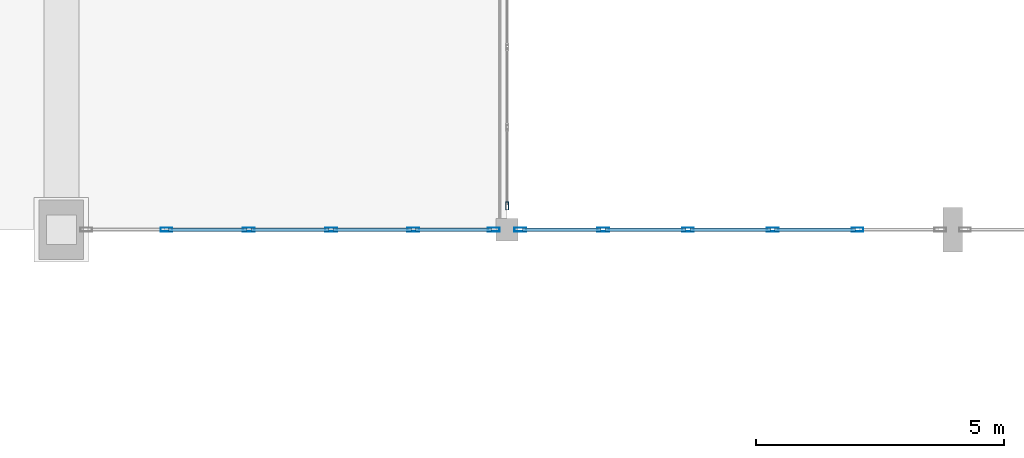
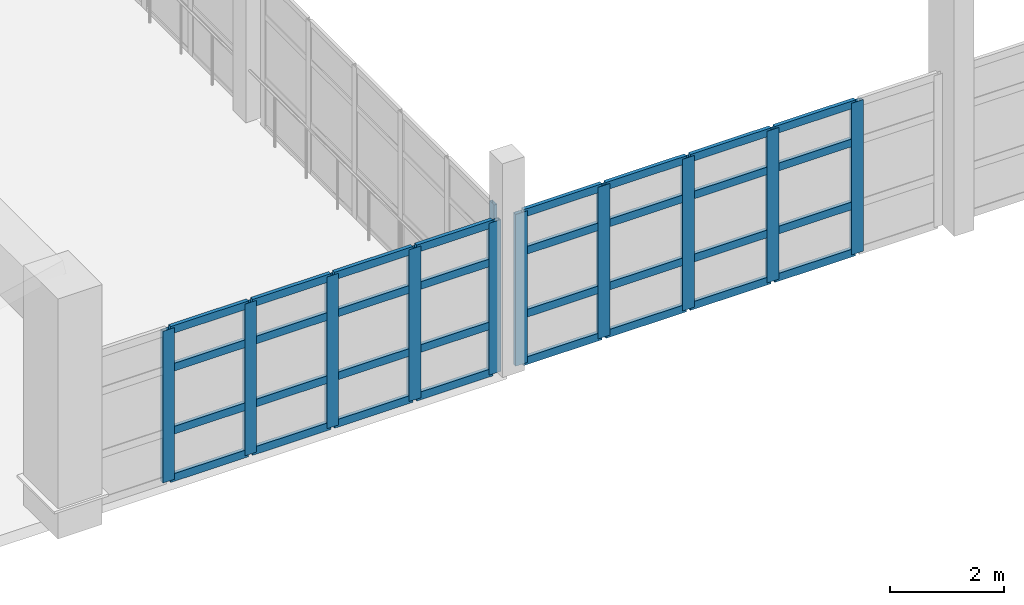
# One storey, part 8 of 80: 43 members, 3 elements without a shape of their own.
"""IFC4 building model written with IfcOpenShell, lengths in metres."""

from ifc_helpers import new_model, si_unit, direction, frame, origin, origin_2d, place, context, subcontext, project, spatial, hollow_rectangle, extrude, material, layer, layer_set, material_profile, profile_set, type_object, element, aggregate, save


model = new_model("IFC4")

# Units and contexts
model_context = context("Model", 3, precision=1e-05, world=origin(), true_north=direction((0.0, 1.0)))
body_context = subcontext(model_context, "Body", "Model", "MODEL_VIEW")
ifc_project = project(units=[si_unit("LENGTHUNIT", "METRE"), si_unit("AREAUNIT", "SQUARE_METRE"), si_unit("VOLUMEUNIT", "CUBIC_METRE"), si_unit("PLANEANGLEUNIT", "RADIAN"), si_unit("MASSUNIT", "GRAM", prefix="KILO")], contexts=[model_context])

# Site, building, storey
site_placement = place(None, origin())
site = spatial("IfcSite", under=ifc_project, at=site_placement, CompositionType="ELEMENT")
building_placement = place(site_placement, origin())
building = spatial("IfcBuilding", under=site, at=building_placement, Name="Ornek Quay Market", CompositionType="ELEMENT")
storey_placement = place(building_placement, frame((0.0, 0.0, 8.39990234375)))
storey = spatial("IfcBuildingStorey", under=building, at=storey_placement, Name="L02", CompositionType="ELEMENT", Elevation=8.39990234375)

# Curtain wall, member
ifc_material_1 = material(Name="Anodised bronze aluminium and triple low-e glass", Category="aluminium")
ifc_layer_1 = layer(ifc_material_1, 0.139892578125, Name="Anodised bronze aluminium and triple low-e glass", Category="aluminium")
ifc_layer_set_1 = layer_set([ifc_layer_1], Name="Anodised bronze aluminium and triple low-e glass")
curtain_wall_type_1 = type_object("IfcCurtainWallType", Name="CW-GALLERY-INT", PredefinedType="USERDEFINED", material=ifc_layer_set_1)
curtain_wall_1_placement = place(storey_placement, origin())
curtain_wall_1 = element("IfcCurtainWall", 1, at=curtain_wall_1_placement, inside=storey, type_object=curtain_wall_type_1, Name="Curtain wall CW-109", ObjectType="CURTAIN WALL", PredefinedType="USERDEFINED")
ifc_material_2 = material(Name="Anodised aluminium 6063-T6", Category="aluminium")
ifc_material_profile_1 = material_profile(ifc_material_2, hollow_rectangle(XDim=0.06005859375, YDim=0.159912109375, WallThickness=0.00390625, at=origin_2d()), Name="CW-MUL-60x160", Category="aluminium")
ifc_profile_set_1 = profile_set([ifc_material_profile_1], Name="Anodised aluminium 6063-T6")
member_type_1 = type_object("IfcMemberType", Name="CW-MUL-60x160", PredefinedType="MULLION", material=ifc_profile_set_1)
member_1_placement = place(storey_placement, frame((72.0, 29.47998046875, 0.0), z_axis=(0.0, 0.0, 1.0), x_axis=(-1.0, 0.0, 0.0)))
member_1 = element("IfcMember", 2, at=member_1_placement, type_object=member_type_1, Name="CW-109 mullion 1", PredefinedType="MULLION", context=body_context, shape_type="SweptSolid", body=[
    extrude(hollow_rectangle(XDim=0.06005859375, YDim=0.159912109375, WallThickness=0.00390625, at=origin_2d()), origin(), (0.0, 0.0, 1.0), 3.25),
])
aggregate(curtain_wall_1, [member_1])

# Curtain wall, members
ifc_layer_2 = layer(ifc_material_1, 0.239990234375, Name="Anodised bronze aluminium and triple low-e glass", Category="aluminium")
ifc_layer_set_2 = layer_set([ifc_layer_2], Name="Anodised bronze aluminium and triple low-e glass")
curtain_wall_type_2 = type_object("IfcCurtainWallType", Name="CW-GAB-MOD1800", PredefinedType="USERDEFINED", material=ifc_layer_set_2)
curtain_wall_2_placement = place(storey_placement, origin())
curtain_wall_2 = element("IfcCurtainWall", 3, at=curtain_wall_2_placement, inside=storey, type_object=curtain_wall_type_2, Name="Curtain wall CW-063", ObjectType="CURTAIN WALL", PredefinedType="USERDEFINED")
ifc_material_profile_2 = material_profile(ifc_material_2, hollow_rectangle(XDim=0.080078125, YDim=0.239990234375, WallThickness=0.006103515625, at=origin_2d()), Name="CW-MUL-80x240", Category="aluminium")
ifc_profile_set_2 = profile_set([ifc_material_profile_2], Name="Anodised aluminium 6063-T6")
member_type_2 = type_object("IfcMemberType", Name="CW-MUL-80x240", PredefinedType="MULLION", material=ifc_profile_set_2)
member_2_placement = place(storey_placement, frame((65.1220703125, 29.0, 0.0), z_axis=(0.0, 0.0, 1.0), x_axis=(0.0, 1.0, 0.0)))
member_2 = element("IfcMember", 4, at=member_2_placement, type_object=member_type_2, Name="CW-063 mullion 2", PredefinedType="MULLION", context=body_context, shape_type="SweptSolid", body=[
    extrude(hollow_rectangle(XDim=0.080078125, YDim=0.239990234375, WallThickness=0.006103515625, at=origin_2d()), origin(), (0.0, 0.0, 1.0), 3.25),
])
member_3_placement = place(storey_placement, frame((66.783935546875, 29.0, 0.0), z_axis=(0.0, 0.0, 1.0), x_axis=(0.0, 1.0, 0.0)))
member_3 = element("IfcMember", 5, at=member_3_placement, type_object=member_type_2, Name="CW-063 mullion 3", PredefinedType="MULLION", context=body_context, shape_type="SweptSolid", body=[
    extrude(hollow_rectangle(XDim=0.080078125, YDim=0.239990234375, WallThickness=0.006103515625, at=origin_2d()), origin(), (0.0, 0.0, 1.0), 3.25),
])
member_4_placement = place(storey_placement, frame((68.446044921875, 29.0, 0.0), z_axis=(0.0, 0.0, 1.0), x_axis=(0.0, 1.0, 0.0)))
member_4 = element("IfcMember", 6, at=member_4_placement, type_object=member_type_2, Name="CW-063 mullion 4", PredefinedType="MULLION", context=body_context, shape_type="SweptSolid", body=[
    extrude(hollow_rectangle(XDim=0.080078125, YDim=0.239990234375, WallThickness=0.006103515625, at=origin_2d()), origin(), (0.0, 0.0, 1.0), 3.25),
])
member_5_placement = place(storey_placement, frame((70.10791015625, 29.0, 0.0), z_axis=(0.0, 0.0, 1.0), x_axis=(0.0, 1.0, 0.0)))
member_5 = element("IfcMember", 7, at=member_5_placement, type_object=member_type_2, Name="CW-063 mullion 5", PredefinedType="MULLION", context=body_context, shape_type="SweptSolid", body=[
    extrude(hollow_rectangle(XDim=0.080078125, YDim=0.239990234375, WallThickness=0.006103515625, at=origin_2d()), origin(), (0.0, 0.0, 1.0), 3.25),
])
member_6_placement = place(storey_placement, frame((71.72998046875, 29.0, 0.0), z_axis=(0.0, 0.0, 1.0), x_axis=(0.0, 1.0, 0.0)))
member_6 = element("IfcMember", 8, at=member_6_placement, type_object=member_type_2, Name="CW-063 mullion 6", PredefinedType="MULLION", context=body_context, shape_type="SweptSolid", body=[
    extrude(hollow_rectangle(XDim=0.080078125, YDim=0.239990234375, WallThickness=0.006103515625, at=origin_2d()), origin(), (0.0, 0.0, 1.0), 3.25),
])

curtain_wall_3_placement = place(storey_placement, origin())
curtain_wall_3 = element("IfcCurtainWall", 9, at=curtain_wall_3_placement, inside=storey, type_object=curtain_wall_type_2, Name="Curtain wall CW-066", ObjectType="CURTAIN WALL", PredefinedType="USERDEFINED")
member_7_placement = place(storey_placement, frame((72.27001953125, 29.0, 0.0), z_axis=(0.0, 0.0, 1.0), x_axis=(0.0, 1.0, 0.0)))
member_7 = element("IfcMember", 10, at=member_7_placement, type_object=member_type_2, Name="CW-066 mullion 1", PredefinedType="MULLION", context=body_context, shape_type="SweptSolid", body=[
    extrude(hollow_rectangle(XDim=0.080078125, YDim=0.239990234375, WallThickness=0.006103515625, at=origin_2d()), origin(), (0.0, 0.0, 1.0), 3.25),
])
member_8_placement = place(storey_placement, frame((73.94189453125, 29.0, 0.0), z_axis=(0.0, 0.0, 1.0), x_axis=(0.0, 1.0, 0.0)))
member_8 = element("IfcMember", 11, at=member_8_placement, type_object=member_type_2, Name="CW-066 mullion 2", PredefinedType="MULLION", context=body_context, shape_type="SweptSolid", body=[
    extrude(hollow_rectangle(XDim=0.080078125, YDim=0.239990234375, WallThickness=0.006103515625, at=origin_2d()), origin(), (0.0, 0.0, 1.0), 3.25),
])
member_9_placement = place(storey_placement, frame((75.654052734375, 29.0, 0.0), z_axis=(0.0, 0.0, 1.0), x_axis=(0.0, 1.0, 0.0)))
member_9 = element("IfcMember", 12, at=member_9_placement, type_object=member_type_2, Name="CW-066 mullion 3", PredefinedType="MULLION", context=body_context, shape_type="SweptSolid", body=[
    extrude(hollow_rectangle(XDim=0.080078125, YDim=0.239990234375, WallThickness=0.006103515625, at=origin_2d()), origin(), (0.0, 0.0, 1.0), 3.25),
])
member_10_placement = place(storey_placement, frame((77.365966796875, 29.0, 0.0), z_axis=(0.0, 0.0, 1.0), x_axis=(0.0, 1.0, 0.0)))
member_10 = element("IfcMember", 13, at=member_10_placement, type_object=member_type_2, Name="CW-066 mullion 4", PredefinedType="MULLION", context=body_context, shape_type="SweptSolid", body=[
    extrude(hollow_rectangle(XDim=0.080078125, YDim=0.239990234375, WallThickness=0.006103515625, at=origin_2d()), origin(), (0.0, 0.0, 1.0), 3.25),
])
member_11_placement = place(storey_placement, frame((79.077880859375, 29.0, 0.0), z_axis=(0.0, 0.0, 1.0), x_axis=(0.0, 1.0, 0.0)))
member_11 = element("IfcMember", 14, at=member_11_placement, type_object=member_type_2, Name="CW-066 mullion 5", PredefinedType="MULLION", context=body_context, shape_type="SweptSolid", body=[
    extrude(hollow_rectangle(XDim=0.080078125, YDim=0.239990234375, WallThickness=0.006103515625, at=origin_2d()), origin(), (0.0, 0.0, 1.0), 3.25),
])

# Member
ifc_material_profile_3 = material_profile(ifc_material_2, hollow_rectangle(XDim=0.074951171875, YDim=0.1650390625, WallThickness=0.0048828125, at=origin_2d()), Name="CW-TRN-75x165", Category="aluminium")
ifc_profile_set_3 = profile_set([ifc_material_profile_3], Name="Anodised aluminium 6063-T6")
member_type_3 = type_object("IfcMemberType", Name="CW-TRN-75x165", PredefinedType="USERDEFINED", material=ifc_profile_set_3)
member_12_placement = place(storey_placement, frame((65.162109375, 29.0, 0.03759765625), z_axis=(1.0, 0.0, 0.0), x_axis=(0.0, 1.0, 0.0)))
member_12 = element("IfcMember", 15, at=member_12_placement, type_object=member_type_3, Name="CW-063 transom 2.1", ObjectType="TRANSOM", PredefinedType="USERDEFINED", context=body_context, shape_type="SweptSolid", body=[
    extrude(hollow_rectangle(XDim=0.074951171875, YDim=0.1650390625, WallThickness=0.0048828125, at=origin_2d()), origin(), (0.0, 0.0, 1.0), 1.581787109375),
])

member_13_placement = place(storey_placement, frame((65.162109375, 29.0, 1.050048828125), z_axis=(1.0, 0.0, 0.0), x_axis=(0.0, 1.0, 0.0)))
member_13 = element("IfcMember", 16, at=member_13_placement, type_object=member_type_3, Name="CW-063 transom 2.2", ObjectType="TRANSOM", PredefinedType="USERDEFINED", context=body_context, shape_type="SweptSolid", body=[
    extrude(hollow_rectangle(XDim=0.074951171875, YDim=0.1650390625, WallThickness=0.0048828125, at=origin_2d()), origin(), (0.0, 0.0, 1.0), 1.581787109375),
])

member_14_placement = place(storey_placement, frame((65.162109375, 29.0, 2.400146484375), z_axis=(1.0, 0.0, 0.0), x_axis=(0.0, 1.0, 0.0)))
member_14 = element("IfcMember", 17, at=member_14_placement, type_object=member_type_3, Name="CW-063 transom 2.3", ObjectType="TRANSOM", PredefinedType="USERDEFINED", context=body_context, shape_type="SweptSolid", body=[
    extrude(hollow_rectangle(XDim=0.074951171875, YDim=0.1650390625, WallThickness=0.0048828125, at=origin_2d()), origin(), (0.0, 0.0, 1.0), 1.581787109375),
])

member_15_placement = place(storey_placement, frame((65.162109375, 29.0, 3.212646484375), z_axis=(1.0, 0.0, 0.0), x_axis=(0.0, 1.0, 0.0)))
member_15 = element("IfcMember", 18, at=member_15_placement, type_object=member_type_3, Name="CW-063 transom 2.4", ObjectType="TRANSOM", PredefinedType="USERDEFINED", context=body_context, shape_type="SweptSolid", body=[
    extrude(hollow_rectangle(XDim=0.074951171875, YDim=0.1650390625, WallThickness=0.0048828125, at=origin_2d()), origin(), (0.0, 0.0, 1.0), 1.581787109375),
])

member_16_placement = place(storey_placement, frame((66.823974609375, 29.0, 0.03759765625), z_axis=(1.0, 0.0, 0.0), x_axis=(0.0, 1.0, 0.0)))
member_16 = element("IfcMember", 19, at=member_16_placement, type_object=member_type_3, Name="CW-063 transom 3.1", ObjectType="TRANSOM", PredefinedType="USERDEFINED", context=body_context, shape_type="SweptSolid", body=[
    extrude(hollow_rectangle(XDim=0.074951171875, YDim=0.1650390625, WallThickness=0.0048828125, at=origin_2d()), origin(), (0.0, 0.0, 1.0), 1.58203125),
])

member_17_placement = place(storey_placement, frame((66.823974609375, 29.0, 1.050048828125), z_axis=(1.0, 0.0, 0.0), x_axis=(0.0, 1.0, 0.0)))
member_17 = element("IfcMember", 20, at=member_17_placement, type_object=member_type_3, Name="CW-063 transom 3.2", ObjectType="TRANSOM", PredefinedType="USERDEFINED", context=body_context, shape_type="SweptSolid", body=[
    extrude(hollow_rectangle(XDim=0.074951171875, YDim=0.1650390625, WallThickness=0.0048828125, at=origin_2d()), origin(), (0.0, 0.0, 1.0), 1.58203125),
])

member_18_placement = place(storey_placement, frame((66.823974609375, 29.0, 2.400146484375), z_axis=(1.0, 0.0, 0.0), x_axis=(0.0, 1.0, 0.0)))
member_18 = element("IfcMember", 21, at=member_18_placement, type_object=member_type_3, Name="CW-063 transom 3.3", ObjectType="TRANSOM", PredefinedType="USERDEFINED", context=body_context, shape_type="SweptSolid", body=[
    extrude(hollow_rectangle(XDim=0.074951171875, YDim=0.1650390625, WallThickness=0.0048828125, at=origin_2d()), origin(), (0.0, 0.0, 1.0), 1.58203125),
])

member_19_placement = place(storey_placement, frame((66.823974609375, 29.0, 3.212646484375), z_axis=(1.0, 0.0, 0.0), x_axis=(0.0, 1.0, 0.0)))
member_19 = element("IfcMember", 22, at=member_19_placement, type_object=member_type_3, Name="CW-063 transom 3.4", ObjectType="TRANSOM", PredefinedType="USERDEFINED", context=body_context, shape_type="SweptSolid", body=[
    extrude(hollow_rectangle(XDim=0.074951171875, YDim=0.1650390625, WallThickness=0.0048828125, at=origin_2d()), origin(), (0.0, 0.0, 1.0), 1.58203125),
])

member_20_placement = place(storey_placement, frame((68.486083984375, 29.0, 0.03759765625), z_axis=(1.0, 0.0, 0.0), x_axis=(0.0, 1.0, 0.0)))
member_20 = element("IfcMember", 23, at=member_20_placement, type_object=member_type_3, Name="CW-063 transom 4.1", ObjectType="TRANSOM", PredefinedType="USERDEFINED", context=body_context, shape_type="SweptSolid", body=[
    extrude(hollow_rectangle(XDim=0.074951171875, YDim=0.1650390625, WallThickness=0.0048828125, at=origin_2d()), origin(), (0.0, 0.0, 1.0), 1.58203125),
])

member_21_placement = place(storey_placement, frame((68.486083984375, 29.0, 1.050048828125), z_axis=(1.0, 0.0, 0.0), x_axis=(0.0, 1.0, 0.0)))
member_21 = element("IfcMember", 24, at=member_21_placement, type_object=member_type_3, Name="CW-063 transom 4.2", ObjectType="TRANSOM", PredefinedType="USERDEFINED", context=body_context, shape_type="SweptSolid", body=[
    extrude(hollow_rectangle(XDim=0.074951171875, YDim=0.1650390625, WallThickness=0.0048828125, at=origin_2d()), origin(), (0.0, 0.0, 1.0), 1.58203125),
])

member_22_placement = place(storey_placement, frame((68.486083984375, 29.0, 2.400146484375), z_axis=(1.0, 0.0, 0.0), x_axis=(0.0, 1.0, 0.0)))
member_22 = element("IfcMember", 25, at=member_22_placement, type_object=member_type_3, Name="CW-063 transom 4.3", ObjectType="TRANSOM", PredefinedType="USERDEFINED", context=body_context, shape_type="SweptSolid", body=[
    extrude(hollow_rectangle(XDim=0.074951171875, YDim=0.1650390625, WallThickness=0.0048828125, at=origin_2d()), origin(), (0.0, 0.0, 1.0), 1.58203125),
])

member_23_placement = place(storey_placement, frame((68.486083984375, 29.0, 3.212646484375), z_axis=(1.0, 0.0, 0.0), x_axis=(0.0, 1.0, 0.0)))
member_23 = element("IfcMember", 26, at=member_23_placement, type_object=member_type_3, Name="CW-063 transom 4.4", ObjectType="TRANSOM", PredefinedType="USERDEFINED", context=body_context, shape_type="SweptSolid", body=[
    extrude(hollow_rectangle(XDim=0.074951171875, YDim=0.1650390625, WallThickness=0.0048828125, at=origin_2d()), origin(), (0.0, 0.0, 1.0), 1.58203125),
])

member_24_placement = place(storey_placement, frame((70.14794921875, 29.0, 0.03759765625), z_axis=(1.0, 0.0, 0.0), x_axis=(0.0, 1.0, 0.0)))
member_24 = element("IfcMember", 27, at=member_24_placement, type_object=member_type_3, Name="CW-063 transom 5.1", ObjectType="TRANSOM", PredefinedType="USERDEFINED", context=body_context, shape_type="SweptSolid", body=[
    extrude(hollow_rectangle(XDim=0.074951171875, YDim=0.1650390625, WallThickness=0.0048828125, at=origin_2d()), origin(), (0.0, 0.0, 1.0), 1.5419921875),
])

member_25_placement = place(storey_placement, frame((70.14794921875, 29.0, 1.050048828125), z_axis=(1.0, 0.0, 0.0), x_axis=(0.0, 1.0, 0.0)))
member_25 = element("IfcMember", 28, at=member_25_placement, type_object=member_type_3, Name="CW-063 transom 5.2", ObjectType="TRANSOM", PredefinedType="USERDEFINED", context=body_context, shape_type="SweptSolid", body=[
    extrude(hollow_rectangle(XDim=0.074951171875, YDim=0.1650390625, WallThickness=0.0048828125, at=origin_2d()), origin(), (0.0, 0.0, 1.0), 1.5419921875),
])

member_26_placement = place(storey_placement, frame((70.14794921875, 29.0, 2.400146484375), z_axis=(1.0, 0.0, 0.0), x_axis=(0.0, 1.0, 0.0)))
member_26 = element("IfcMember", 29, at=member_26_placement, type_object=member_type_3, Name="CW-063 transom 5.3", ObjectType="TRANSOM", PredefinedType="USERDEFINED", context=body_context, shape_type="SweptSolid", body=[
    extrude(hollow_rectangle(XDim=0.074951171875, YDim=0.1650390625, WallThickness=0.0048828125, at=origin_2d()), origin(), (0.0, 0.0, 1.0), 1.5419921875),
])

member_27_placement = place(storey_placement, frame((70.14794921875, 29.0, 3.212646484375), z_axis=(1.0, 0.0, 0.0), x_axis=(0.0, 1.0, 0.0)))
member_27 = element("IfcMember", 30, at=member_27_placement, type_object=member_type_3, Name="CW-063 transom 5.4", ObjectType="TRANSOM", PredefinedType="USERDEFINED", context=body_context, shape_type="SweptSolid", body=[
    extrude(hollow_rectangle(XDim=0.074951171875, YDim=0.1650390625, WallThickness=0.0048828125, at=origin_2d()), origin(), (0.0, 0.0, 1.0), 1.5419921875),
])

aggregate(curtain_wall_2, [member_2, member_3, member_4, member_5, member_6, member_12, member_13, member_14, member_15, member_16, member_17, member_18, member_19, member_20, member_21, member_22, member_23, member_24, member_25, member_26, member_27])

member_28_placement = place(storey_placement, frame((72.31005859375, 29.0, 0.03759765625), z_axis=(1.0, 0.0, 0.0), x_axis=(0.0, 1.0, 0.0)))
member_28 = element("IfcMember", 31, at=member_28_placement, type_object=member_type_3, Name="CW-066 transom 1.1", ObjectType="TRANSOM", PredefinedType="USERDEFINED", context=body_context, shape_type="SweptSolid", body=[
    extrude(hollow_rectangle(XDim=0.074951171875, YDim=0.1650390625, WallThickness=0.0048828125, at=origin_2d()), origin(), (0.0, 0.0, 1.0), 1.592041015625),
])

member_29_placement = place(storey_placement, frame((72.31005859375, 29.0, 1.050048828125), z_axis=(1.0, 0.0, 0.0), x_axis=(0.0, 1.0, 0.0)))
member_29 = element("IfcMember", 32, at=member_29_placement, type_object=member_type_3, Name="CW-066 transom 1.2", ObjectType="TRANSOM", PredefinedType="USERDEFINED", context=body_context, shape_type="SweptSolid", body=[
    extrude(hollow_rectangle(XDim=0.074951171875, YDim=0.1650390625, WallThickness=0.0048828125, at=origin_2d()), origin(), (0.0, 0.0, 1.0), 1.592041015625),
])

member_30_placement = place(storey_placement, frame((72.31005859375, 29.0, 2.400146484375), z_axis=(1.0, 0.0, 0.0), x_axis=(0.0, 1.0, 0.0)))
member_30 = element("IfcMember", 33, at=member_30_placement, type_object=member_type_3, Name="CW-066 transom 1.3", ObjectType="TRANSOM", PredefinedType="USERDEFINED", context=body_context, shape_type="SweptSolid", body=[
    extrude(hollow_rectangle(XDim=0.074951171875, YDim=0.1650390625, WallThickness=0.0048828125, at=origin_2d()), origin(), (0.0, 0.0, 1.0), 1.592041015625),
])

member_31_placement = place(storey_placement, frame((72.31005859375, 29.0, 3.212646484375), z_axis=(1.0, 0.0, 0.0), x_axis=(0.0, 1.0, 0.0)))
member_31 = element("IfcMember", 34, at=member_31_placement, type_object=member_type_3, Name="CW-066 transom 1.4", ObjectType="TRANSOM", PredefinedType="USERDEFINED", context=body_context, shape_type="SweptSolid", body=[
    extrude(hollow_rectangle(XDim=0.074951171875, YDim=0.1650390625, WallThickness=0.0048828125, at=origin_2d()), origin(), (0.0, 0.0, 1.0), 1.592041015625),
])

member_32_placement = place(storey_placement, frame((73.98193359375, 29.0, 0.03759765625), z_axis=(1.0, 0.0, 0.0), x_axis=(0.0, 1.0, 0.0)))
member_32 = element("IfcMember", 35, at=member_32_placement, type_object=member_type_3, Name="CW-066 transom 2.1", ObjectType="TRANSOM", PredefinedType="USERDEFINED", context=body_context, shape_type="SweptSolid", body=[
    extrude(hollow_rectangle(XDim=0.074951171875, YDim=0.1650390625, WallThickness=0.0048828125, at=origin_2d()), origin(), (0.0, 0.0, 1.0), 1.632080078125),
])

member_33_placement = place(storey_placement, frame((73.98193359375, 29.0, 1.050048828125), z_axis=(1.0, 0.0, 0.0), x_axis=(0.0, 1.0, 0.0)))
member_33 = element("IfcMember", 36, at=member_33_placement, type_object=member_type_3, Name="CW-066 transom 2.2", ObjectType="TRANSOM", PredefinedType="USERDEFINED", context=body_context, shape_type="SweptSolid", body=[
    extrude(hollow_rectangle(XDim=0.074951171875, YDim=0.1650390625, WallThickness=0.0048828125, at=origin_2d()), origin(), (0.0, 0.0, 1.0), 1.632080078125),
])

member_34_placement = place(storey_placement, frame((73.98193359375, 29.0, 2.400146484375), z_axis=(1.0, 0.0, 0.0), x_axis=(0.0, 1.0, 0.0)))
member_34 = element("IfcMember", 37, at=member_34_placement, type_object=member_type_3, Name="CW-066 transom 2.3", ObjectType="TRANSOM", PredefinedType="USERDEFINED", context=body_context, shape_type="SweptSolid", body=[
    extrude(hollow_rectangle(XDim=0.074951171875, YDim=0.1650390625, WallThickness=0.0048828125, at=origin_2d()), origin(), (0.0, 0.0, 1.0), 1.632080078125),
])

member_35_placement = place(storey_placement, frame((73.98193359375, 29.0, 3.212646484375), z_axis=(1.0, 0.0, 0.0), x_axis=(0.0, 1.0, 0.0)))
member_35 = element("IfcMember", 38, at=member_35_placement, type_object=member_type_3, Name="CW-066 transom 2.4", ObjectType="TRANSOM", PredefinedType="USERDEFINED", context=body_context, shape_type="SweptSolid", body=[
    extrude(hollow_rectangle(XDim=0.074951171875, YDim=0.1650390625, WallThickness=0.0048828125, at=origin_2d()), origin(), (0.0, 0.0, 1.0), 1.632080078125),
])

member_36_placement = place(storey_placement, frame((75.694091796875, 29.0, 0.03759765625), z_axis=(1.0, 0.0, 0.0), x_axis=(0.0, 1.0, 0.0)))
member_36 = element("IfcMember", 39, at=member_36_placement, type_object=member_type_3, Name="CW-066 transom 3.1", ObjectType="TRANSOM", PredefinedType="USERDEFINED", context=body_context, shape_type="SweptSolid", body=[
    extrude(hollow_rectangle(XDim=0.074951171875, YDim=0.1650390625, WallThickness=0.0048828125, at=origin_2d()), origin(), (0.0, 0.0, 1.0), 1.6318359375),
])

member_37_placement = place(storey_placement, frame((75.694091796875, 29.0, 1.050048828125), z_axis=(1.0, 0.0, 0.0), x_axis=(0.0, 1.0, 0.0)))
member_37 = element("IfcMember", 40, at=member_37_placement, type_object=member_type_3, Name="CW-066 transom 3.2", ObjectType="TRANSOM", PredefinedType="USERDEFINED", context=body_context, shape_type="SweptSolid", body=[
    extrude(hollow_rectangle(XDim=0.074951171875, YDim=0.1650390625, WallThickness=0.0048828125, at=origin_2d()), origin(), (0.0, 0.0, 1.0), 1.6318359375),
])

member_38_placement = place(storey_placement, frame((75.694091796875, 29.0, 2.400146484375), z_axis=(1.0, 0.0, 0.0), x_axis=(0.0, 1.0, 0.0)))
member_38 = element("IfcMember", 41, at=member_38_placement, type_object=member_type_3, Name="CW-066 transom 3.3", ObjectType="TRANSOM", PredefinedType="USERDEFINED", context=body_context, shape_type="SweptSolid", body=[
    extrude(hollow_rectangle(XDim=0.074951171875, YDim=0.1650390625, WallThickness=0.0048828125, at=origin_2d()), origin(), (0.0, 0.0, 1.0), 1.6318359375),
])

member_39_placement = place(storey_placement, frame((75.694091796875, 29.0, 3.212646484375), z_axis=(1.0, 0.0, 0.0), x_axis=(0.0, 1.0, 0.0)))
member_39 = element("IfcMember", 42, at=member_39_placement, type_object=member_type_3, Name="CW-066 transom 3.4", ObjectType="TRANSOM", PredefinedType="USERDEFINED", context=body_context, shape_type="SweptSolid", body=[
    extrude(hollow_rectangle(XDim=0.074951171875, YDim=0.1650390625, WallThickness=0.0048828125, at=origin_2d()), origin(), (0.0, 0.0, 1.0), 1.6318359375),
])

member_40_placement = place(storey_placement, frame((77.406005859375, 29.0, 0.03759765625), z_axis=(1.0, 0.0, 0.0), x_axis=(0.0, 1.0, 0.0)))
member_40 = element("IfcMember", 43, at=member_40_placement, type_object=member_type_3, Name="CW-066 transom 4.1", ObjectType="TRANSOM", PredefinedType="USERDEFINED", context=body_context, shape_type="SweptSolid", body=[
    extrude(hollow_rectangle(XDim=0.074951171875, YDim=0.1650390625, WallThickness=0.0048828125, at=origin_2d()), origin(), (0.0, 0.0, 1.0), 1.632080078125),
])

member_41_placement = place(storey_placement, frame((77.406005859375, 29.0, 1.050048828125), z_axis=(1.0, 0.0, 0.0), x_axis=(0.0, 1.0, 0.0)))
member_41 = element("IfcMember", 44, at=member_41_placement, type_object=member_type_3, Name="CW-066 transom 4.2", ObjectType="TRANSOM", PredefinedType="USERDEFINED", context=body_context, shape_type="SweptSolid", body=[
    extrude(hollow_rectangle(XDim=0.074951171875, YDim=0.1650390625, WallThickness=0.0048828125, at=origin_2d()), origin(), (0.0, 0.0, 1.0), 1.632080078125),
])

member_42_placement = place(storey_placement, frame((77.406005859375, 29.0, 2.400146484375), z_axis=(1.0, 0.0, 0.0), x_axis=(0.0, 1.0, 0.0)))
member_42 = element("IfcMember", 45, at=member_42_placement, type_object=member_type_3, Name="CW-066 transom 4.3", ObjectType="TRANSOM", PredefinedType="USERDEFINED", context=body_context, shape_type="SweptSolid", body=[
    extrude(hollow_rectangle(XDim=0.074951171875, YDim=0.1650390625, WallThickness=0.0048828125, at=origin_2d()), origin(), (0.0, 0.0, 1.0), 1.632080078125),
])

member_43_placement = place(storey_placement, frame((77.406005859375, 29.0, 3.212646484375), z_axis=(1.0, 0.0, 0.0), x_axis=(0.0, 1.0, 0.0)))
member_43 = element("IfcMember", 46, at=member_43_placement, type_object=member_type_3, Name="CW-066 transom 4.4", ObjectType="TRANSOM", PredefinedType="USERDEFINED", context=body_context, shape_type="SweptSolid", body=[
    extrude(hollow_rectangle(XDim=0.074951171875, YDim=0.1650390625, WallThickness=0.0048828125, at=origin_2d()), origin(), (0.0, 0.0, 1.0), 1.632080078125),
])

aggregate(curtain_wall_3, [member_7, member_8, member_9, member_10, member_11, member_28, member_29, member_30, member_31, member_32, member_33, member_34, member_35, member_36, member_37, member_38, member_39, member_40, member_41, member_42, member_43])

save(model, "model.ifc")
